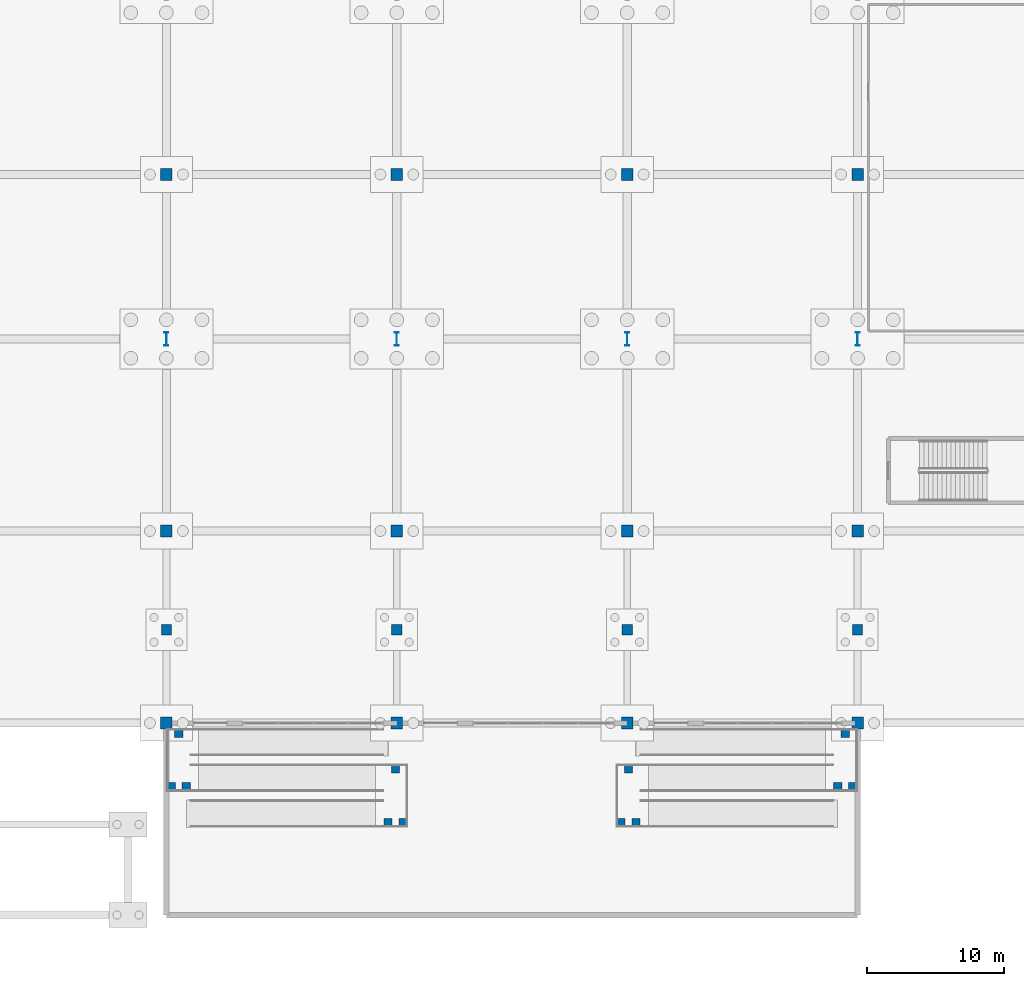
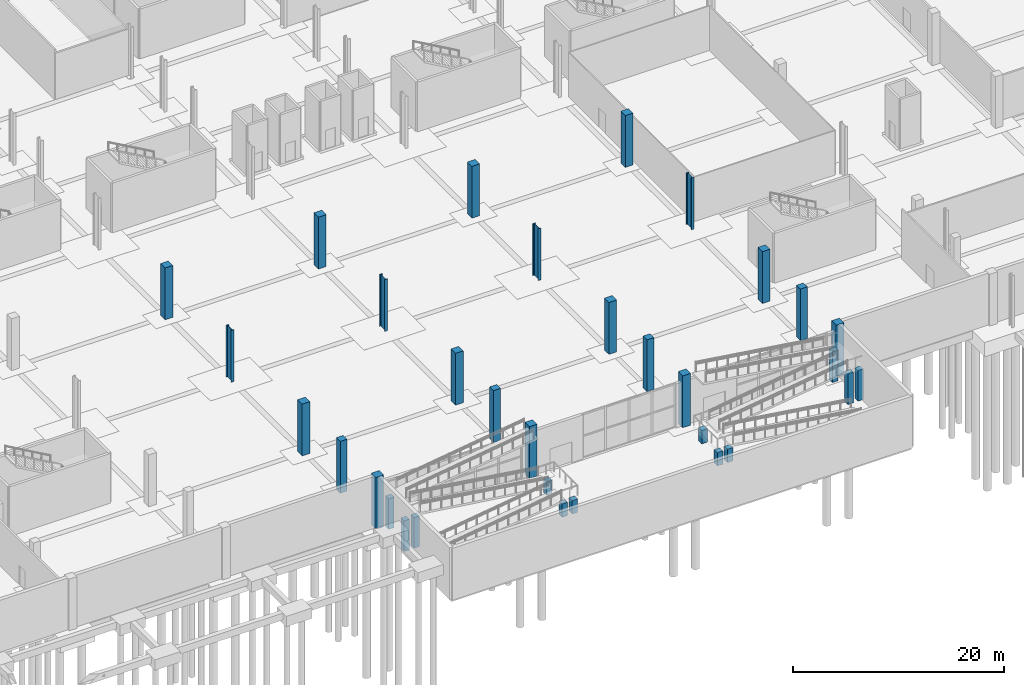
# One storey, part 10 of 46: 32 columns.
"""IFC4 building model written with IfcOpenShell, lengths in metres."""

from ifc_helpers import new_model, si_unit, direction, frame, origin, origin_2d, place, context, subcontext, project, spatial, rectangle, i_section, extrude, material, material_profile, profile_set, type_object, element, save


model = new_model("IFC4")

# Units and contexts
model_context = context("Model", 3, precision=1e-05, world=origin(), true_north=direction((0.0, 1.0)))
body_context = subcontext(model_context, "Body", "Model", "MODEL_VIEW")
ifc_project = project(units=[si_unit("LENGTHUNIT", "METRE"), si_unit("AREAUNIT", "SQUARE_METRE"), si_unit("VOLUMEUNIT", "CUBIC_METRE"), si_unit("PLANEANGLEUNIT", "RADIAN"), si_unit("MASSUNIT", "GRAM", prefix="KILO")], contexts=[model_context])

# Site, building, storey
site_placement = place(None, origin())
site = spatial("IfcSite", under=ifc_project, at=site_placement, CompositionType="ELEMENT")
building_placement = place(site_placement, origin())
building = spatial("IfcBuilding", under=site, at=building_placement, Name="Kimbaza Rail Terminus", CompositionType="ELEMENT")
storey_placement = place(building_placement, frame((0.0, 0.0, -6.0)))
storey = spatial("IfcBuildingStorey", under=building, at=storey_placement, Name="B1", CompositionType="ELEMENT", Elevation=-6.0)

# Columns
ifc_material_1 = material(Name="Steel S355", Category="steel")
ifc_material_profile_1 = material_profile(ifc_material_1, i_section(OverallWidth=0.302001953125, OverallDepth=1.008056640625, WebThickness=0.02099609375, FlangeThickness=0.0400390625, FilletRadius=0.030029296875, at=origin_2d()), Name="HEM 1000")
ifc_profile_set_1 = profile_set([ifc_material_profile_1], Name="Steel S355")
column_type_1 = type_object("IfcColumnType", Name="STR-COL-HEM1000", PredefinedType="COLUMN", material=ifc_profile_set_1)
for number, where, z_axis, x_axis, name in (
    (1, (88.800048828125, 55.0, 0.0), (0.0, 0.0, 1.0), (1.0, 0.0, 0.0), "Metro Concourse B1 Column (2,2)"),
    (2, (105.60009765625, 55.0, 0.0), (0.0, 0.0, 1.0), (1.0, 0.0, 0.0), "Metro Concourse B1 Column (3,2)"),
    (3, (122.39990234375, 55.0, 0.0), (0.0, 0.0, 1.0), (1.0, 0.0, 0.0), "Metro Concourse B1 Column (4,2)"),
    (4, (139.199951171875, 55.0, 0.0), (0.0, 0.0, 1.0), (1.0, 0.0, 0.0), "Metro Concourse B1 Column (5,2)"),
):
    element("IfcColumn", number, at=place(storey_placement, frame(where, z_axis=z_axis, x_axis=x_axis)), inside=storey, type_object=column_type_1, Name=name, PredefinedType="COLUMN", context=body_context, shape_type="SweptSolid", body=[
        extrude(i_section(OverallWidth=0.302001953125, OverallDepth=1.008056640625, WebThickness=0.02099609375, FlangeThickness=0.0400390625, FilletRadius=0.030029296875, at=origin_2d()), origin(), (0.0, 0.0, 1.0), 6.0),
    ])
ifc_material_2 = material(Name="Concrete C40/50", Category="concrete")
ifc_material_profile_2 = material_profile(ifc_material_2, rectangle(XDim=0.60009765625, YDim=0.60009765625, at=origin_2d()), Name="RC 600x600")
ifc_profile_set_2 = profile_set([ifc_material_profile_2], Name="Concrete C40/50")
column_type_2 = type_object("IfcColumnType", Name="STR-COL-RC600", PredefinedType="COLUMN", material=ifc_profile_set_2)
for number, where, z_axis, x_axis, name in (
    (5, (89.14990234375, 22.35009765625, 0.0), (0.0, 0.0, 1.0), (1.0, 0.0, 0.0), "Ramp Landing Column 1.1"),
    (6, (90.25, 22.35009765625, 0.0), (0.0, 0.0, 1.0), (1.0, 0.0, 0.0), "Ramp Landing Column 1.2"),
    (7, (89.699951171875, 26.25, 0.0), (0.0, 0.0, 1.0), (1.0, 0.0, 0.0), "Ramp Landing Column 1.3"),
):
    element("IfcColumn", number, at=place(storey_placement, frame(where, z_axis=z_axis, x_axis=x_axis)), inside=storey, type_object=column_type_2, Name=name, PredefinedType="COLUMN", context=body_context, shape_type="SweptSolid", body=[
        extrude(rectangle(XDim=0.60009765625, YDim=0.60009765625, at=origin_2d()), origin(), (0.0, 0.0, 1.0), 3.550048828125),
    ])
for number, where, z_axis, x_axis, name in (
    (8, (104.949951171875, 19.75, 0.0), (0.0, 0.0, 1.0), (1.0, 0.0, 0.0), "Ramp Landing Column 2.1"),
    (9, (106.050048828125, 19.75, 0.0), (0.0, 0.0, 1.0), (1.0, 0.0, 0.0), "Ramp Landing Column 2.2"),
    (10, (105.5, 23.64990234375, 0.0), (0.0, 0.0, 1.0), (1.0, 0.0, 0.0), "Ramp Landing Column 2.3"),
):
    element("IfcColumn", number, at=place(storey_placement, frame(where, z_axis=z_axis, x_axis=x_axis)), inside=storey, type_object=column_type_2, Name=name, PredefinedType="COLUMN", context=body_context, shape_type="SweptSolid", body=[
        extrude(rectangle(XDim=0.60009765625, YDim=0.60009765625, at=origin_2d()), origin(), (0.0, 0.0, 1.0), 1.550048828125),
    ])
for number, where, z_axis, x_axis, name in (
    (11, (137.75, 22.35009765625, 0.0), (0.0, 0.0, 1.0), (1.0, 0.0, 0.0), "Ramp Landing Column 4.1"),
    (12, (138.85009765625, 22.35009765625, 0.0), (0.0, 0.0, 1.0), (1.0, 0.0, 0.0), "Ramp Landing Column 4.2"),
    (13, (138.300048828125, 26.25, 0.0), (0.0, 0.0, 1.0), (1.0, 0.0, 0.0), "Ramp Landing Column 4.3"),
):
    element("IfcColumn", number, at=place(storey_placement, frame(where, z_axis=z_axis, x_axis=x_axis)), inside=storey, type_object=column_type_2, Name=name, PredefinedType="COLUMN", context=body_context, shape_type="SweptSolid", body=[
        extrude(rectangle(XDim=0.60009765625, YDim=0.60009765625, at=origin_2d()), origin(), (0.0, 0.0, 1.0), 3.550048828125),
    ])
for number, where, z_axis, x_axis, name in (
    (14, (121.949951171875, 19.75, 0.0), (0.0, 0.0, 1.0), (1.0, 0.0, 0.0), "Ramp Landing Column 5.1"),
    (15, (123.050048828125, 19.75, 0.0), (0.0, 0.0, 1.0), (1.0, 0.0, 0.0), "Ramp Landing Column 5.2"),
    (16, (122.5, 23.64990234375, 0.0), (0.0, 0.0, 1.0), (1.0, 0.0, 0.0), "Ramp Landing Column 5.3"),
):
    element("IfcColumn", number, at=place(storey_placement, frame(where, z_axis=z_axis, x_axis=x_axis)), inside=storey, type_object=column_type_2, Name=name, PredefinedType="COLUMN", context=body_context, shape_type="SweptSolid", body=[
        extrude(rectangle(XDim=0.60009765625, YDim=0.60009765625, at=origin_2d()), origin(), (0.0, 0.0, 1.0), 1.550048828125),
    ])
ifc_material_3 = material(Name="Concrete C40/50", Category="concrete")
ifc_material_profile_3 = material_profile(ifc_material_3, rectangle(XDim=0.75, YDim=0.75, at=origin_2d()), Name="RC 750x750")
ifc_profile_set_3 = profile_set([ifc_material_profile_3], Name="Concrete C40/50")
column_type_3 = type_object("IfcColumnType", Name="STR-COL-RC750", PredefinedType="COLUMN", material=ifc_profile_set_3)
for number, where, z_axis, x_axis, name in (
    (17, (88.800048828125, 33.800048828125, 0.0), (0.0, 0.0, 1.0), (1.0, 0.0, 0.0), "B1 Metro Column (2,col)"),
    (18, (105.60009765625, 33.800048828125, 0.0), (0.0, 0.0, 1.0), (1.0, 0.0, 0.0), "B1 Metro Column (3,col)"),
    (19, (122.39990234375, 33.800048828125, 0.0), (0.0, 0.0, 1.0), (1.0, 0.0, 0.0), "B1 Metro Column (4,col)"),
    (20, (139.199951171875, 33.800048828125, 0.0), (0.0, 0.0, 1.0), (1.0, 0.0, 0.0), "B1 Metro Column (5,col)"),
):
    element("IfcColumn", number, at=place(storey_placement, frame(where, z_axis=z_axis, x_axis=x_axis)), inside=storey, type_object=column_type_3, Name=name, PredefinedType="COLUMN", context=body_context, shape_type="SweptSolid", body=[
        extrude(rectangle(XDim=0.75, YDim=0.75, at=origin_2d()), origin(), (0.0, 0.0, 1.0), 6.0),
    ])
ifc_material_4 = material(Name="Concrete C40/50", Category="concrete")
ifc_material_profile_4 = material_profile(ifc_material_4, rectangle(XDim=0.85009765625, YDim=0.85009765625, at=origin_2d()), Name="RC 850x850")
ifc_profile_set_4 = profile_set([ifc_material_profile_4], Name="Concrete C40/50")
column_type_4 = type_object("IfcColumnType", Name="STR-COL-RC850", PredefinedType="COLUMN", material=ifc_profile_set_4)
for number, where, z_axis, x_axis, name in (
    (21, (88.800048828125, 27.0, 0.0), (0.0, 0.0, 1.0), (1.0, 0.0, 0.0), "Metro Concourse B1 Column (2,0)"),
    (22, (88.800048828125, 41.0, 0.0), (0.0, 0.0, 1.0), (1.0, 0.0, 0.0), "Metro Concourse B1 Column (2,1)"),
    (23, (88.800048828125, 67.0, 0.0), (0.0, 0.0, 1.0), (1.0, 0.0, 0.0), "Metro Concourse B1 Column (2,3)"),
    (24, (105.60009765625, 27.0, 0.0), (0.0, 0.0, 1.0), (1.0, 0.0, 0.0), "Metro Concourse B1 Column (3,0)"),
    (25, (105.60009765625, 41.0, 0.0), (0.0, 0.0, 1.0), (1.0, 0.0, 0.0), "Metro Concourse B1 Column (3,1)"),
    (26, (105.60009765625, 67.0, 0.0), (0.0, 0.0, 1.0), (1.0, 0.0, 0.0), "Metro Concourse B1 Column (3,3)"),
    (27, (122.39990234375, 27.0, 0.0), (0.0, 0.0, 1.0), (1.0, 0.0, 0.0), "Metro Concourse B1 Column (4,0)"),
    (28, (122.39990234375, 41.0, 0.0), (0.0, 0.0, 1.0), (1.0, 0.0, 0.0), "Metro Concourse B1 Column (4,1)"),
    (29, (122.39990234375, 67.0, 0.0), (0.0, 0.0, 1.0), (1.0, 0.0, 0.0), "Metro Concourse B1 Column (4,3)"),
    (30, (139.199951171875, 27.0, 0.0), (0.0, 0.0, 1.0), (1.0, 0.0, 0.0), "Metro Concourse B1 Column (5,0)"),
    (31, (139.199951171875, 41.0, 0.0), (0.0, 0.0, 1.0), (1.0, 0.0, 0.0), "Metro Concourse B1 Column (5,1)"),
    (32, (139.199951171875, 67.0, 0.0), (0.0, 0.0, 1.0), (1.0, 0.0, 0.0), "Metro Concourse B1 Column (5,3)"),
):
    element("IfcColumn", number, at=place(storey_placement, frame(where, z_axis=z_axis, x_axis=x_axis)), inside=storey, type_object=column_type_4, Name=name, PredefinedType="COLUMN", context=body_context, shape_type="SweptSolid", body=[
        extrude(rectangle(XDim=0.85009765625, YDim=0.85009765625, at=origin_2d()), origin(), (0.0, 0.0, 1.0), 6.0),
    ])

save(model, "model.ifc")
